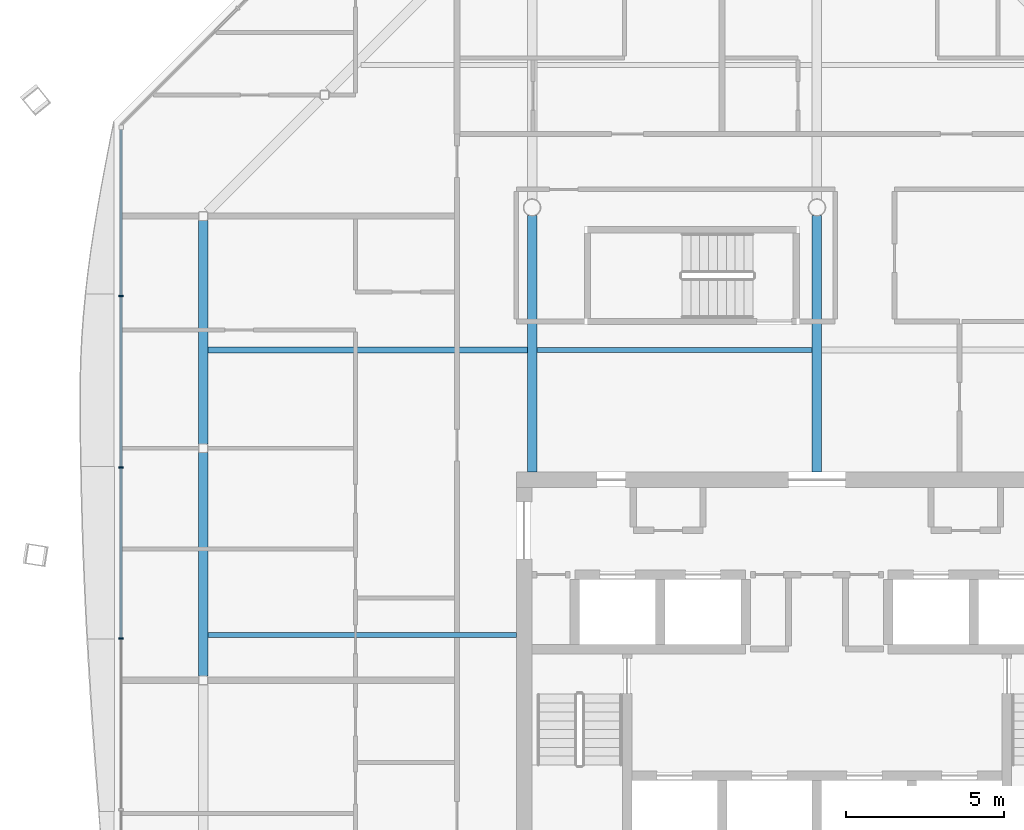
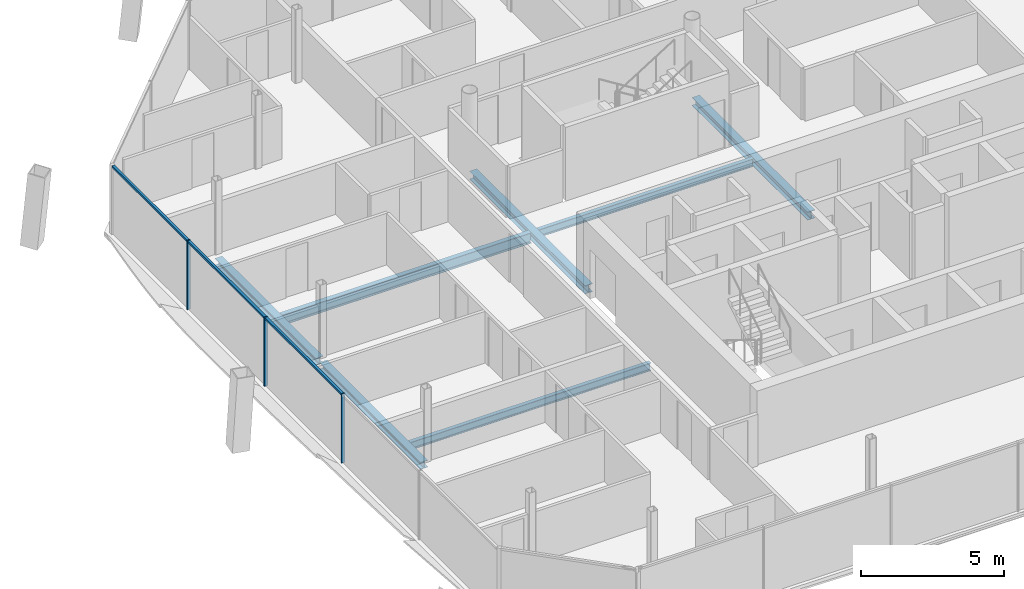
# One storey, part 6 of 18: 7 beams, 6 members, 1 element without a shape of its own.
"""IFC4 building model written with IfcOpenShell, lengths in metres."""

from ifc_helpers import new_model, si_unit, direction, frame, origin, origin_2d, place, context, subcontext, project, spatial, rectangle, i_section, extrude, material, material_profile, profile_set, type_object, element, aggregate, save


model = new_model("IFC4")

# Units and contexts
model_context = context("Model", 3, precision=1e-05, world=origin(), true_north=direction((0.0, 1.0)))
body_context = subcontext(model_context, "Body", "Model", "MODEL_VIEW")
ifc_project = project(units=[si_unit("LENGTHUNIT", "METRE"), si_unit("AREAUNIT", "SQUARE_METRE"), si_unit("VOLUMEUNIT", "CUBIC_METRE"), si_unit("PLANEANGLEUNIT", "RADIAN"), si_unit("MASSUNIT", "GRAM", prefix="KILO")], contexts=[model_context])

# Site, building, storey
site_placement = place(None, origin())
site = spatial("IfcSite", under=ifc_project, at=site_placement, CompositionType="ELEMENT")
building_placement = place(site_placement, origin())
building = spatial("IfcBuilding", under=site, at=building_placement, Name="Tskaro Facet Tower", CompositionType="ELEMENT")
storey_placement = place(building_placement, frame((0.0, 0.0, 223.5)))
storey = spatial("IfcBuildingStorey", under=building, at=storey_placement, Name="L57", CompositionType="ELEMENT", Elevation=223.5)

# Curtain wall, members
ifc_material_1 = material(Name="Bronze anodised aluminium 6063-T6", Category="aluminium")
curtain_wall_type = type_object("IfcCurtainWallType", Name="Bronze residence curtain wall (FW3)", PredefinedType="NOTDEFINED", material=ifc_material_1)
curtain_wall_placement = place(storey_placement, origin())
curtain_wall = element("IfcCurtainWall", 1, at=curtain_wall_placement, inside=storey, type_object=curtain_wall_type, Name="FW3 west facet L57", PredefinedType="NOTDEFINED")
ifc_material_profile_1 = material_profile(ifc_material_1, rectangle(XDim=0.050048828125, YDim=0.139892578125, at=origin_2d()), Name="Mullion 50x140")
ifc_profile_set_1 = profile_set([ifc_material_profile_1], Name="Bronze anodised aluminium 6063-T6")
member_type_1 = type_object("IfcMemberType", Name="FW3 bronze mullion 50x140", PredefinedType="MULLION", material=ifc_profile_set_1)
member_1_placement = place(storey_placement, frame((-21.985107421875, 6.2001953125, 0.0), z_axis=(0.0, 0.0, 1.0), x_axis=(0.0, -1.0, 0.0)))
member_1 = element("IfcMember", 2, at=member_1_placement, type_object=member_type_1, Name="FW3 west mullion 1", PredefinedType="MULLION", context=body_context, shape_type="SweptSolid", body=[
    extrude(rectangle(XDim=0.050048828125, YDim=0.139892578125, at=origin_2d()), origin(), (0.0, 0.0, 1.0), 2.949951171875),
])
member_2_placement = place(storey_placement, frame((-21.985107421875, 0.79150390625, 0.0), z_axis=(0.0, 0.0, 1.0), x_axis=(0.0, -1.0, 0.0)))
member_2 = element("IfcMember", 3, at=member_2_placement, type_object=member_type_1, Name="FW3 west mullion 2", PredefinedType="MULLION", context=body_context, shape_type="SweptSolid", body=[
    extrude(rectangle(XDim=0.050048828125, YDim=0.139892578125, at=origin_2d()), origin(), (0.0, 0.0, 1.0), 2.949951171875),
])
member_3_placement = place(storey_placement, frame((-21.985107421875, -4.617431640625, 0.0), z_axis=(0.0, 0.0, 1.0), x_axis=(0.0, -1.0, 0.0)))
member_3 = element("IfcMember", 4, at=member_3_placement, type_object=member_type_1, Name="FW3 west mullion 3", PredefinedType="MULLION", context=body_context, shape_type="SweptSolid", body=[
    extrude(rectangle(XDim=0.050048828125, YDim=0.139892578125, at=origin_2d()), origin(), (0.0, 0.0, 1.0), 2.949951171875),
])
ifc_material_profile_2 = material_profile(ifc_material_1, rectangle(XDim=0.10009765625, YDim=0.090087890625, at=origin_2d()), Name="Transom 100x90")
ifc_profile_set_2 = profile_set([ifc_material_profile_2], Name="Bronze anodised aluminium 6063-T6")
member_type_2 = type_object("IfcMemberType", Name="FW3 bronze transom 100x90", PredefinedType="USERDEFINED", material=ifc_profile_set_2)
member_4_placement = place(storey_placement, frame((-21.985107421875, 11.468994140625, 2.905029296875), z_axis=(0.0, -1.0, 0.0), x_axis=(1.0, 0.0, 0.0)))
member_4 = element("IfcMember", 5, at=member_4_placement, type_object=member_type_2, Name="FW3 west transom 1.1", ObjectType="TRANSOM", PredefinedType="USERDEFINED", context=body_context, shape_type="SweptSolid", body=[
    extrude(rectangle(XDim=0.10009765625, YDim=0.090087890625, at=origin_2d()), origin(), (0.0, 0.0, 1.0), 5.243896484375),
])
member_5_placement = place(storey_placement, frame((-21.985107421875, 6.17529296875, 2.905029296875), z_axis=(0.0, -1.0, 0.0), x_axis=(1.0, 0.0, 0.0)))
member_5 = element("IfcMember", 6, at=member_5_placement, type_object=member_type_2, Name="FW3 west transom 2.1", ObjectType="TRANSOM", PredefinedType="USERDEFINED", context=body_context, shape_type="SweptSolid", body=[
    extrude(rectangle(XDim=0.10009765625, YDim=0.090087890625, at=origin_2d()), origin(), (0.0, 0.0, 1.0), 5.35888671875),
])
member_6_placement = place(storey_placement, frame((-21.985107421875, 0.766357421875, 2.905029296875), z_axis=(0.0, -1.0, 0.0), x_axis=(1.0, 0.0, 0.0)))
member_6 = element("IfcMember", 7, at=member_6_placement, type_object=member_type_2, Name="FW3 west transom 3.1", ObjectType="TRANSOM", PredefinedType="USERDEFINED", context=body_context, shape_type="SweptSolid", body=[
    extrude(rectangle(XDim=0.10009765625, YDim=0.090087890625, at=origin_2d()), origin(), (0.0, 0.0, 1.0), 5.358642578125),
])
aggregate(curtain_wall, [member_1, member_2, member_3, member_4, member_5, member_6])

# Beams
ifc_material_2 = material(Name="Steel S355J2", Category="steel")
ifc_material_profile_3 = material_profile(ifc_material_2, i_section(OverallWidth=0.300048828125, OverallDepth=0.300048828125, WebThickness=0.010986328125, FlangeThickness=0.01904296875, FilletRadius=0.027099609375, at=origin_2d()), Name="HE 300 B")
ifc_profile_set_3 = profile_set([ifc_material_profile_3], Name="Steel S355J2")
beam_type_1 = type_object("IfcBeamType", Name="HE 300 B ring beam", PredefinedType="BEAM", material=ifc_profile_set_3)
beam_1_placement = place(storey_placement, frame((-19.39111328125, 8.594970703125, -0.2900390625), z_axis=(0.0, -1.0, 0.0), x_axis=(1.0, 0.0, 0.0)))
element("IfcBeam", 8, at=beam_1_placement, inside=storey, type_object=beam_type_1, Name="HE 300 B EB14-5", PredefinedType="BEAM", context=body_context, shape_type="SweptSolid", body=[
    extrude(i_section(OverallWidth=0.300048828125, OverallDepth=0.300048828125, WebThickness=0.010986328125, FlangeThickness=0.01904296875, FilletRadius=0.027099609375, at=origin_2d()), origin(), (0.0, 0.0, 1.0), 7.071044921875),
])
beam_2_placement = place(storey_placement, frame((-19.39111328125, 1.263916015625, -0.2900390625), z_axis=(0.0, -1.0, 0.0), x_axis=(1.0, 0.0, 0.0)))
element("IfcBeam", 9, at=beam_2_placement, inside=storey, type_object=beam_type_1, Name="HE 300 B EB15-5", PredefinedType="BEAM", context=body_context, shape_type="SweptSolid", body=[
    extrude(i_section(OverallWidth=0.300048828125, OverallDepth=0.300048828125, WebThickness=0.010986328125, FlangeThickness=0.01904296875, FilletRadius=0.027099609375, at=origin_2d()), origin(), (0.0, 0.0, 1.0), 7.07080078125),
])
ifc_material_profile_4 = material_profile(ifc_material_2, i_section(OverallWidth=0.300048828125, OverallDepth=0.35009765625, WebThickness=0.010009765625, FlangeThickness=0.017578125, FilletRadius=0.027099609375, at=origin_2d()), Name="HE 360 A")
ifc_profile_set_4 = profile_set([ifc_material_profile_4], Name="Steel S355J2")
beam_type_2 = type_object("IfcBeamType", Name="HE 360 A girder", PredefinedType="BEAM", material=ifc_profile_set_4)
for number, where, z_axis, x_axis, name in (
    (10, (-9.0, 0.64990234375, -0.31494140625), (0.0, 1.0, 0.0), (-1.0, 0.0, 0.0), "HE 360 A GB3-2-5"),
    (11, (0.0, 0.64990234375, -0.31494140625), (0.0, 1.0, 0.0), (-1.0, 0.0, 0.0), "HE 360 A GB4-2-5"),
):
    element("IfcBeam", number, at=place(storey_placement, frame(where, z_axis=z_axis, x_axis=x_axis)), inside=storey, type_object=beam_type_2, Name=name, PredefinedType="BEAM", context=body_context, shape_type="SweptSolid", body=[
        extrude(i_section(OverallWidth=0.300048828125, OverallDepth=0.35009765625, WebThickness=0.010009765625, FlangeThickness=0.017578125, FilletRadius=0.027099609375, at=origin_2d()), origin(), (0.0, 0.0, 1.0), 8.1005859375),
    ])
ifc_material_profile_5 = material_profile(ifc_material_2, i_section(OverallWidth=0.159912109375, OverallDepth=0.330078125, WebThickness=0.007568359375, FlangeThickness=0.011474609375, FilletRadius=0.01806640625, at=origin_2d()), Name="IPE 330")
ifc_profile_set_5 = profile_set([ifc_material_profile_5], Name="Steel S355J2")
beam_type_3 = type_object("IfcBeamType", Name="IPE 330 secondary beam", PredefinedType="BEAM", material=ifc_profile_set_5)
beam_3_placement = place(storey_placement, frame((-19.240966796875, -4.5, -0.304931640625), z_axis=(1.0, 0.0, 0.0), x_axis=(0.0, 1.0, 0.0)))
element("IfcBeam", 12, at=beam_3_placement, inside=storey, type_object=beam_type_3, Name="IPE 330 SB3a-1-5", PredefinedType="BEAM", context=body_context, shape_type="SweptSolid", body=[
    extrude(i_section(OverallWidth=0.159912109375, OverallDepth=0.330078125, WebThickness=0.007568359375, FlangeThickness=0.011474609375, FilletRadius=0.01806640625, at=origin_2d()), origin(), (0.0, 0.0, 1.0), 9.740966796875),
])
beam_4_placement = place(storey_placement, frame((-8.85009765625, 4.5, -0.304931640625), z_axis=(1.0, 0.0, 0.0), x_axis=(0.0, 1.0, 0.0)))
element("IfcBeam", 13, at=beam_4_placement, inside=storey, type_object=beam_type_3, Name="IPE 330 SB4a-2-5", PredefinedType="BEAM", context=body_context, shape_type="SweptSolid", body=[
    extrude(i_section(OverallWidth=0.159912109375, OverallDepth=0.330078125, WebThickness=0.007568359375, FlangeThickness=0.011474609375, FilletRadius=0.01806640625, at=origin_2d()), origin(), (0.0, 0.0, 1.0), 8.7001953125),
])
ifc_material_profile_6 = material_profile(ifc_material_2, i_section(OverallWidth=0.18994140625, OverallDepth=0.449951171875, WebThickness=0.009521484375, FlangeThickness=0.0146484375, FilletRadius=0.02099609375, at=origin_2d()), Name="IPE 450")
ifc_profile_set_6 = profile_set([ifc_material_profile_6], Name="Steel S355J2")
beam_type_4 = type_object("IfcBeamType", Name="IPE 450 long secondary beam", PredefinedType="BEAM", material=ifc_profile_set_6)
beam_5_placement = place(storey_placement, frame((-19.240966796875, 4.5, -0.364990234375), z_axis=(1.0, 0.0, 0.0), x_axis=(0.0, 1.0, 0.0)))
element("IfcBeam", 14, at=beam_5_placement, inside=storey, type_object=beam_type_4, Name="IPE 450 LSB4a-1-5", PredefinedType="BEAM", context=body_context, shape_type="SweptSolid", body=[
    extrude(i_section(OverallWidth=0.18994140625, OverallDepth=0.449951171875, WebThickness=0.009521484375, FlangeThickness=0.0146484375, FilletRadius=0.02099609375, at=origin_2d()), origin(), (0.0, 0.0, 1.0), 10.091064453125),
])

save(model, "model.ifc")
